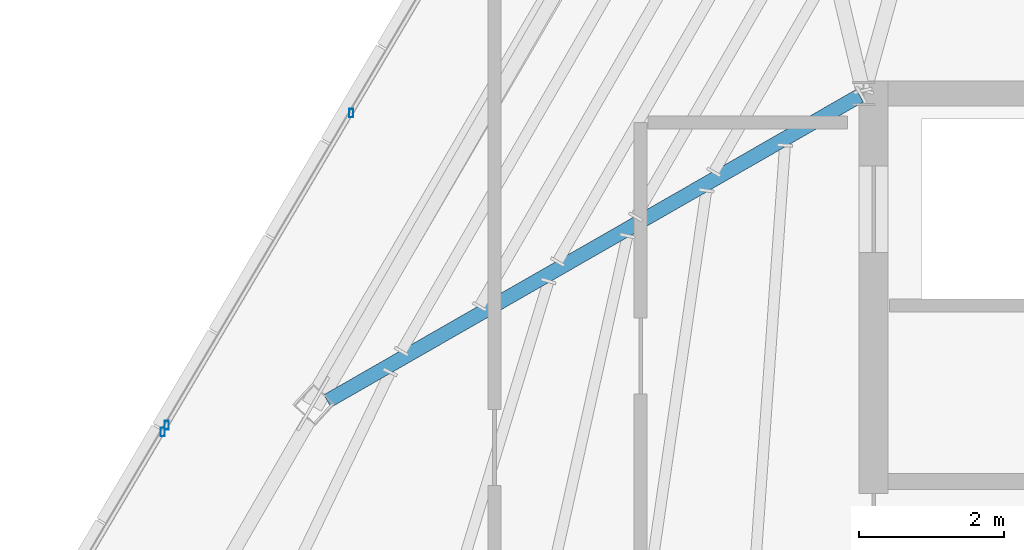
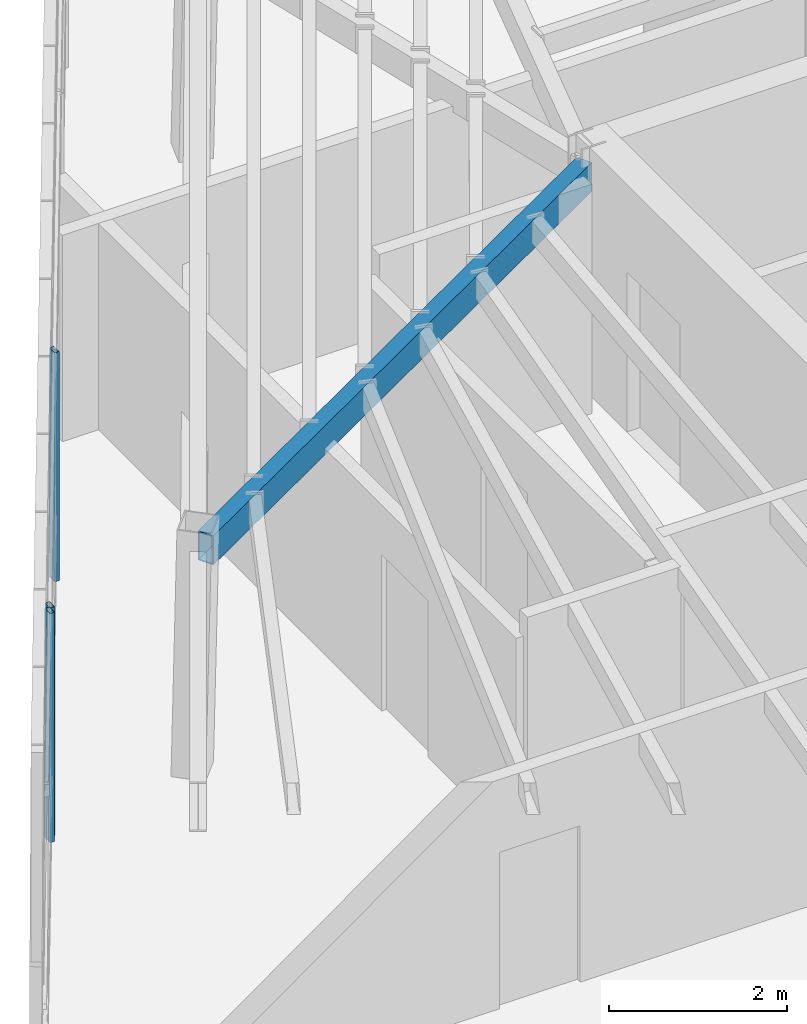
# One storey, part 17 of 47: 3 members, 1 beam, 2 elements without a shape of their own.
"""IFC4 building model written with IfcOpenShell, lengths in metres."""

from ifc_helpers import new_model, si_unit, direction, frame, origin, origin_2d, place, context, subcontext, project, spatial, hollow_rectangle, extrude, source, transform, mapped, material, material_profile, profile_set, type_object, type_shapes, element, aggregate, save


model = new_model("IFC4")

# Units and contexts
model_context = context("Model", 3, precision=1e-05, world=origin(), true_north=direction((0.0, 1.0)))
body_context = subcontext(model_context, "Body", "Model", "MODEL_VIEW")
ifc_project = project(units=[si_unit("LENGTHUNIT", "METRE"), si_unit("AREAUNIT", "SQUARE_METRE"), si_unit("VOLUMEUNIT", "CUBIC_METRE"), si_unit("PLANEANGLEUNIT", "RADIAN"), si_unit("MASSUNIT", "GRAM", prefix="KILO")], contexts=[model_context])

# Site, building, storey
site_placement = place(None, origin())
site = spatial("IfcSite", under=ifc_project, at=site_placement, CompositionType="ELEMENT")
building_placement = place(site_placement, origin())
building = spatial("IfcBuilding", under=site, at=building_placement, Name="Caelisora Broadcast Tower", CompositionType="ELEMENT")
storey_placement = place(building_placement, frame((0.0, 0.0, 293.199951171875)))
storey = spatial("IfcBuildingStorey", under=building, at=storey_placement, Name="L77", CompositionType="ELEMENT", Elevation=293.199951171875)

# Beam
ifc_material_1 = material(Name="Steel Grade 350 (AS/NZS 1163 C350L0)", Category="steel")
ifc_material_profile_1 = material_profile(ifc_material_1, hollow_rectangle(XDim=0.199951171875, YDim=0.39990234375, WallThickness=0.012451171875, at=origin_2d()), Name="Steel Grade 350 (AS/NZS 1163 C350L0)")
ifc_profile_set_1 = profile_set([ifc_material_profile_1], Name="Steel Grade 350 (AS/NZS 1163 C350L0)")
beam_type = type_object("IfcBeamType", Name="PG07", PredefinedType="BEAM", material=ifc_profile_set_1)
shared_shape_1 = source(origin(), body_context, "Body", "SweptSolid", [
    extrude(hollow_rectangle(XDim=0.199951171875, YDim=0.39990234375, WallThickness=0.012451171875, at=origin_2d()), origin(), (0.0, 0.0, 1.0), 8.482666015625),
])
type_shapes(beam_type, [shared_shape_1])
beam_placement = place(storey_placement, frame((30.447998046875, 29.97021484375, 2.949951171875), z_axis=(-0.867439672659, -0.497542374374, 0.0), x_axis=(0.497542374374, -0.867439672659, 0.0)))
element("IfcBeam", 1, at=beam_placement, inside=storey, type_object=beam_type, Name="L77 beam PG07", PredefinedType="BEAM", context=body_context, shape_type="MappedRepresentation", body=[
    mapped(shared_shape_1, transform((0.0, 0.0, 0.0), scale=1.0)),
])

# Curtain wall, member
ifc_material_2 = material(Name="Unitised Aluminium Insulated Shadow-Box Spandrel Curtain Wall", Category="aluminium")
curtain_wall_type = type_object("IfcCurtainWallType", Name="CW-SP3", PredefinedType="NOTDEFINED", material=ifc_material_2)
curtain_wall_1_placement = place(storey_placement, origin())
curtain_wall_1 = element("IfcCurtainWall", 2, at=curtain_wall_1_placement, inside=storey, type_object=curtain_wall_type, Name="L77 curtain wall CW-SP3", PredefinedType="NOTDEFINED")
ifc_material_3 = material(Name="Aluminium 6063-T6 Anodised Terracotta Bronze", Category="aluminium")
ifc_material_profile_2 = material_profile(ifc_material_3, hollow_rectangle(XDim=0.06005859375, YDim=0.1201171875, WallThickness=0.0029296875, at=origin_2d()), Name="Aluminium 6063-T6 Anodised Terracotta Bronze")
ifc_profile_set_2 = profile_set([ifc_material_profile_2], Name="Aluminium 6063-T6 Anodised Terracotta Bronze")
member_type = type_object("IfcMemberType", Name="CWM-04", PredefinedType="MULLION", material=ifc_profile_set_2)
shared_shape_2 = source(origin(), body_context, "Body", "SweptSolid", [
    extrude(hollow_rectangle(XDim=0.06005859375, YDim=0.1201171875, WallThickness=0.0029296875, at=origin_2d()), origin(), (0.0, 0.0, 1.0), 3.150146484375),
])
type_shapes(member_type, [shared_shape_2])
member_1_placement = place(storey_placement, frame((20.814453125, 25.3212890625, 0.0), z_axis=(0.0, 0.0, 1.0), x_axis=(1.0, 0.0, 0.0)))
member_1 = element("IfcMember", 3, at=member_1_placement, type_object=member_type, Name="L77-CW-B09 mullion #3", PredefinedType="MULLION", context=body_context, shape_type="MappedRepresentation", body=[
    mapped(shared_shape_2, transform((0.0, 0.0, 0.0), scale=1.0)),
])
aggregate(curtain_wall_1, [member_1])

# Curtain wall, members
curtain_wall_2_placement = place(storey_placement, origin())
curtain_wall_2 = element("IfcCurtainWall", 4, at=curtain_wall_2_placement, inside=storey, type_object=curtain_wall_type, Name="L77 curtain wall CW-SP3", PredefinedType="NOTDEFINED")
member_2_placement = place(storey_placement, frame((20.870361328125, 25.416015625, 0.0), z_axis=(0.0, 0.0, 1.0), x_axis=(1.0, 0.0, 0.0)))
member_2 = element("IfcMember", 5, at=member_2_placement, type_object=member_type, Name="L77-CW-B10 mullion #0", PredefinedType="MULLION", context=body_context, shape_type="MappedRepresentation", body=[
    mapped(shared_shape_2, transform((0.0, 0.0, 0.0), scale=1.0)),
])
member_3_placement = place(storey_placement, frame((23.4189453125, 29.728759765625, 0.0), z_axis=(0.0, 0.0, 1.0), x_axis=(1.0, 0.0, 0.0)))
member_3 = element("IfcMember", 6, at=member_3_placement, type_object=member_type, Name="L77-CW-B10 mullion #1", PredefinedType="MULLION", context=body_context, shape_type="MappedRepresentation", body=[
    mapped(shared_shape_2, transform((0.0, 0.0, 0.0), scale=1.0)),
])
aggregate(curtain_wall_2, [member_2, member_3])

save(model, "model.ifc")
